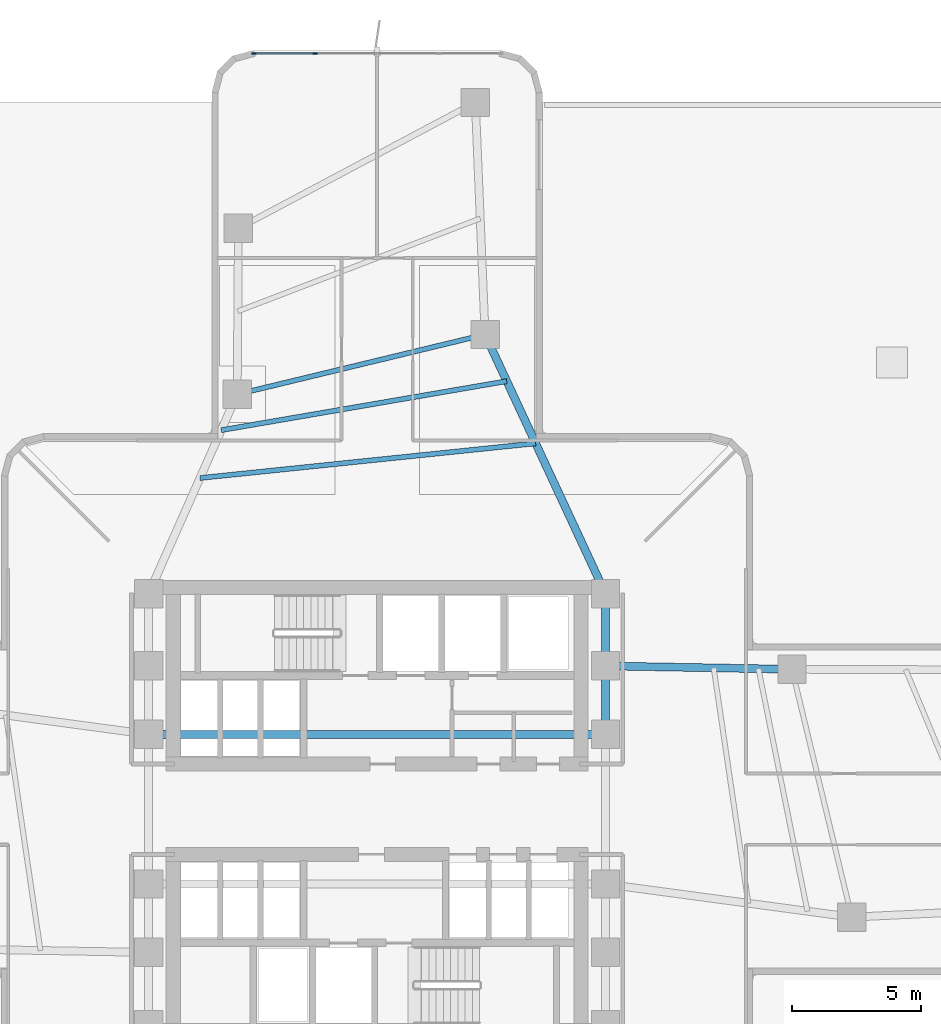
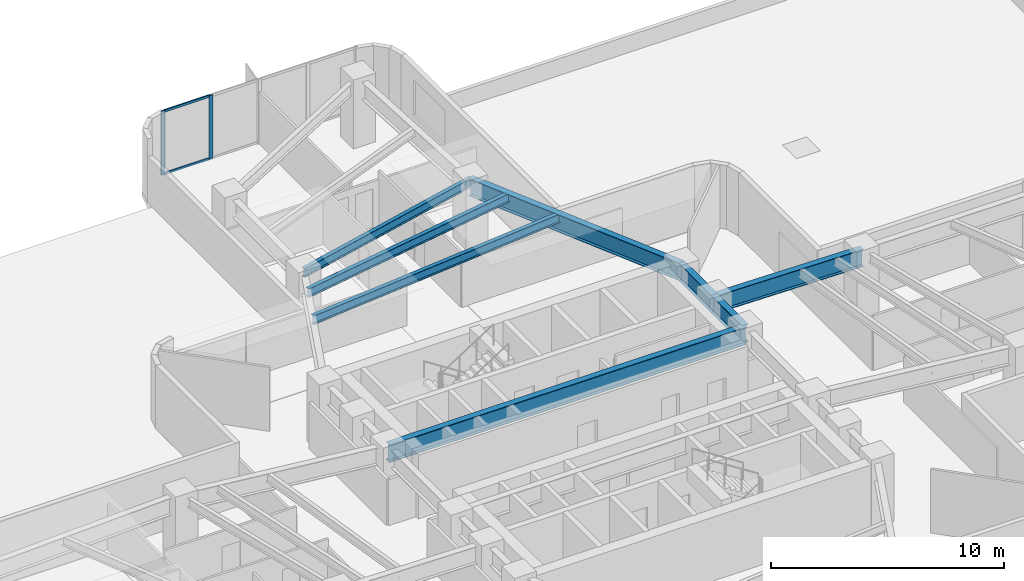
# One storey, part 5 of 14: 8 beams, 4 members, 1 element without a shape of its own.
"""IFC4 building model written with IfcOpenShell, lengths in metres."""

import ifcopenshell
import ifcopenshell.guid

model = None  # the IFC model being written
_history = None  # IfcOwnerHistory: only IFC2X3 demands one
_inside = {}  # id of a spatial element -> (the spatial element, [elements in it])
_under = {}  # id of a project, library or spatial element -> (it, [spatial elements below it])
_declared = {}  # id of a project -> (the project, [libraries it declares])
_typed = {}  # id of a type object -> (the type object, [elements of that type])
_made_of = {}  # id of a material, layer set ... -> (it, [elements and type objects made of it])


def new_model(schema):
    """Start an empty IFC model of exactly this schema.

    Asked for "IFC4X3", IfcOpenShell would pick the latest addendum, in which some entities
    have other attributes; the version numbers below select the first issue.
    IFC2X3 requires an IfcOwnerHistory on every rooted entity: one is made here for all.
    """
    global model, _history
    if schema == "IFC4X3":
        model = ifcopenshell.file(schema_version=(4, 3, 0, 0))
    else:
        model = ifcopenshell.file(schema=schema)
    _inside.clear()
    _under.clear()
    _declared.clear()
    _typed.clear()
    _made_of.clear()
    _history = None
    if model.schema == "IFC2X3":
        org = make("IfcOrganization", Name="unknown")
        user = make(
            "IfcPersonAndOrganization",
            ThePerson=make("IfcPerson", FamilyName="unknown"),
            TheOrganization=org,
        )
        app = make(
            "IfcApplication",
            ApplicationDeveloper=org,
            Version="unknown",
            ApplicationFullName="unknown",
            ApplicationIdentifier="unknown",
        )
        _history = make(
            "IfcOwnerHistory",
            OwningUser=user,
            OwningApplication=app,
            ChangeAction="ADDED",
            CreationDate=0,
        )
    return model


def make(cls, **values):
    """One entity of the class cls with the attributes given. An attribute that is None is left unset."""
    return model.create_entity(
        cls, **{name: value for name, value in values.items() if value is not None}
    )


def rooted(cls, **values):
    """An entity with a GlobalId (a new one), such as an element, a storey or a relation."""
    return make(cls, GlobalId=ifcopenshell.guid.new(), OwnerHistory=_history, **values)


def si_unit(unit_type, name, prefix=None):
    """IfcSIUnit, for example si_unit("LENGTHUNIT", "METRE", prefix="MILLI")."""
    return make("IfcSIUnit", UnitType=unit_type, Prefix=prefix, Name=name)


def assignment(units):
    """IfcUnitAssignment: the units of a project."""
    return None if units is None else make("IfcUnitAssignment", Units=units)


def point(xyz):
    """IfcCartesianPoint."""
    return None if xyz is None else make("IfcCartesianPoint", Coordinates=xyz)


def direction(xyz):
    """IfcDirection."""
    return None if xyz is None else make("IfcDirection", DirectionRatios=xyz)


def frame(location, z_axis=None, x_axis=None):
    """IfcAxis2Placement3D, a coordinate frame: its origin and axes. An axis left out is left unset."""
    return make(
        "IfcAxis2Placement3D",
        Location=point(location),
        Axis=direction(z_axis),
        RefDirection=direction(x_axis),
    )


def frame_2d(location, x_axis=None):
    """IfcAxis2Placement2D, a coordinate frame in the plane: its origin and x axis."""
    return make(
        "IfcAxis2Placement2D", Location=point(location), RefDirection=direction(x_axis)
    )


def origin():
    """The frame at (0, 0, 0) with its axes left unset."""
    return frame((0.0, 0.0, 0.0))


def origin_2d():
    """The frame at (0, 0) in the plane with its x axis left unset."""
    return frame_2d((0.0, 0.0))


def place(relative_to, where):
    """IfcLocalPlacement: puts the frame where relative to a parent placement (None: the world)."""
    return make(
        "IfcLocalPlacement", PlacementRelTo=relative_to, RelativePlacement=where
    )


def context(
    kind, dimensions, precision=None, world=None, true_north=None, identifier=None
):
    """IfcGeometricRepresentationContext, for example the 3D "Model" context."""
    return make(
        "IfcGeometricRepresentationContext",
        ContextIdentifier=identifier,
        ContextType=kind,
        CoordinateSpaceDimension=dimensions,
        Precision=precision,
        WorldCoordinateSystem=world,
        TrueNorth=true_north,
    )


def subcontext(parent, identifier, kind, view, scale=None):
    """IfcGeometricRepresentationSubContext, for example "Body" below "Model"."""
    return make(
        "IfcGeometricRepresentationSubContext",
        ContextIdentifier=identifier,
        ContextType=kind,
        ParentContext=parent,
        TargetScale=scale,
        TargetView=view,
    )


def project(units=None, contexts=None):
    """IfcProject with its units and contexts."""
    return rooted(
        "IfcProject",
        Name="project",
        RepresentationContexts=contexts,
        UnitsInContext=assignment(units),
    )


def spatial(cls, under=None, at=None, **own):
    """A site, building, storey or space (cls), placed at a placement, below another one or the project."""
    s = rooted(cls, ObjectPlacement=at, **own)
    if under is not None:
        _under.setdefault(under.id(), (under, []))[1].append(s)
    return s


def profile(cls, at=None, kind="AREA", **sizes):
    """A parametric profile (cls). Its sizes go by their IFC names, for example OverallWidth=200.0."""
    return make(cls, ProfileType=kind, Position=at, **sizes)


def rectangle(**sizes):
    """IfcRectangleProfileDef."""
    return profile("IfcRectangleProfileDef", **sizes)


def i_section(**sizes):
    """IfcIShapeProfileDef."""
    return profile("IfcIShapeProfileDef", **sizes)


def extrude(swept, where, along, depth):
    """IfcExtrudedAreaSolid: the profile swept, set in the frame where, extruded along a direction by depth."""
    return make(
        "IfcExtrudedAreaSolid",
        SweptArea=swept,
        Position=where,
        ExtrudedDirection=direction(along),
        Depth=depth,
    )


def shape(context_of_items, identifier, shape_type, items):
    """IfcShapeRepresentation: the items that make up one representation, for example the "Body"."""
    return make(
        "IfcShapeRepresentation",
        ContextOfItems=context_of_items,
        RepresentationIdentifier=identifier,
        RepresentationType=shape_type,
        Items=items,
    )


def material(Name=None, Category=None):
    """IfcMaterial."""
    return make("IfcMaterial", Name=Name, Category=Category)


def layer(
    of_material, thickness, ventilated=None, Name=None, Category=None, Priority=None
):
    """IfcMaterialLayer: one layer of a wall or slab, of a material (None: an air gap)."""
    return make(
        "IfcMaterialLayer",
        Material=of_material,
        LayerThickness=thickness,
        IsVentilated=ventilated,
        Name=Name,
        Category=Category,
        Priority=Priority,
    )


def layer_set(layers, Name=None):
    """IfcMaterialLayerSet."""
    return make("IfcMaterialLayerSet", MaterialLayers=layers, LayerSetName=Name)


def material_profile(
    of_material, cross_section, Name=None, Category=None, Priority=None
):
    """IfcMaterialProfile: a cross section and its material."""
    return make(
        "IfcMaterialProfile",
        Name=Name,
        Material=of_material,
        Profile=cross_section,
        Priority=Priority,
        Category=Category,
    )


def profile_set(profiles, Name=None, composite=None):
    """IfcMaterialProfileSet."""
    return make(
        "IfcMaterialProfileSet",
        Name=Name,
        MaterialProfiles=profiles,
        CompositeProfile=composite,
    )


def made_of(thing, what):
    """Note that an element or type object is made of a material, layer set ...; save() writes the relation."""
    if what is not None:
        _made_of.setdefault(what.id(), (what, []))[1].append(thing)
    return thing


def type_object(cls, material=None, **own):
    """A type object (cls), such as IfcWallType, which elements share."""
    return made_of(rooted(cls, **own), material)


def element(
    cls,
    number,
    at=None,
    inside=None,
    cuts=None,
    type_object=None,
    material=None,
    context=None,
    identifier="Body",
    shape_type=None,
    held_by="IfcProductDefinitionShape",
    body=None,
    shapes=None,
    **own,
):
    """One element of the class cls, such as IfcWall. Its Tag is "e" and its number.

    at: its placement. inside: the storey or other place that contains it. cuts: it is an
    opening in that element (IfcRelVoidsElement). A single representation is given by context,
    identifier, shape_type and body (its items); several are given by shapes. held_by: the class
    of the entity that holds the representations. save() writes the other relations.
    """
    e = rooted(cls, Tag="e%d" % number, ObjectPlacement=at, **own)
    if body is not None:
        shapes = [shape(context, identifier, shape_type, body)]
    if shapes is not None:
        e.Representation = make(held_by, Representations=shapes)
    if inside is not None:
        _inside.setdefault(inside.id(), (inside, []))[1].append(e)
    if cuts is not None:
        rooted(
            "IfcRelVoidsElement", RelatingBuildingElement=cuts, RelatedOpeningElement=e
        )
    if type_object is not None:
        _typed.setdefault(type_object.id(), (type_object, []))[1].append(e)
    return made_of(e, material)


def aggregate(whole, parts):
    """IfcRelAggregates: a whole, such as a stair, and the parts it consists of."""
    return rooted("IfcRelAggregates", RelatingObject=whole, RelatedObjects=parts)


def save(model, path):
    """Write the relations noted so far, then the file.

    IfcRelAggregates (storeys below a building ...), IfcRelContainedInSpatialStructure (elements
    in a storey), IfcRelDefinesByType, IfcRelAssociatesMaterial and IfcRelDeclares: one each for
    every whole, place, type object, material and project.
    """
    for whole, parts in _under.values():
        aggregate(whole, parts)
    for where, things in _inside.values():
        rooted(
            "IfcRelContainedInSpatialStructure",
            RelatedElements=things,
            RelatingStructure=where,
        )
    for kind, things in _typed.values():
        rooted("IfcRelDefinesByType", RelatedObjects=things, RelatingType=kind)
    for what, things in _made_of.values():
        rooted("IfcRelAssociatesMaterial", RelatedObjects=things, RelatingMaterial=what)
    for by, libraries in _declared.values():
        rooted("IfcRelDeclares", RelatingContext=by, RelatedDefinitions=libraries)
    model.write(path)


model = new_model("IFC4")

# Units and contexts
model_context = context("Model", 3, precision=1e-05, world=origin(), true_north=direction((0.0, 1.0)))
body_context = subcontext(model_context, "Body", "Model", "MODEL_VIEW")
ifc_project = project(units=[si_unit("LENGTHUNIT", "METRE"), si_unit("AREAUNIT", "SQUARE_METRE"), si_unit("VOLUMEUNIT", "CUBIC_METRE"), si_unit("PLANEANGLEUNIT", "RADIAN"), si_unit("MASSUNIT", "GRAM", prefix="KILO")], contexts=[model_context])

# Site, building, storey
site_placement = place(None, origin())
site = spatial("IfcSite", under=ifc_project, at=site_placement, CompositionType="ELEMENT")
building_placement = place(site_placement, origin())
building = spatial("IfcBuilding", under=site, at=building_placement, Name="Solmarez Civic Tower", CompositionType="ELEMENT")
storey_placement = place(building_placement, frame((0.0, 0.0, 24.47998046875)))
storey = spatial("IfcBuildingStorey", under=building, at=storey_placement, Name="L05", CompositionType="ELEMENT", Elevation=24.47998046875)

# Beams
ifc_material_1 = material(Name="Steel S355", Category="steel")
ifc_material_profile_1 = material_profile(ifc_material_1, i_section(OverallWidth=0.19189453125, OverallDepth=0.462890625, WebThickness=0.010498046875, FlangeThickness=0.017578125, at=origin_2d()), Name="W18X60")
ifc_profile_set_1 = profile_set([ifc_material_profile_1], Name="Steel S355")
beam_type_1 = type_object("IfcBeamType", Name="BM-JS-W18X60", PredefinedType="JOIST", material=ifc_profile_set_1)
beam_1_placement = place(storey_placement, frame((4.18408203125, 18.39111328125, 3.10791015625), z_axis=(-0.97215737271, -0.234328919867, 0.0), x_axis=(0.234328919867, -0.97215737271, 0.0)))
element("IfcBeam", 1, at=beam_1_placement, inside=storey, type_object=beam_type_1, Name="L05 Secondary Floor Joist BM-L05-NA-T1", PredefinedType="JOIST", context=body_context, shape_type="SweptSolid", body=[
    extrude(i_section(OverallWidth=0.19189453125, OverallDepth=0.462890625, WebThickness=0.010498046875, FlangeThickness=0.017578125, at=origin_2d()), origin(), (0.0, 0.0, 1.0), 9.880126953125),
])
beam_2_placement = place(storey_placement, frame((6.14404296875, 14.174072265625, 3.10791015625), z_axis=(-0.9947100999, -0.102722038325, 0.0), x_axis=(0.102722038325, -0.9947100999, 0.0)))
element("IfcBeam", 2, at=beam_2_placement, inside=storey, type_object=beam_type_1, Name="L05 Secondary Floor Joist JS-L05-NA-M11", PredefinedType="JOIST", context=body_context, shape_type="SweptSolid", body=[
    extrude(i_section(OverallWidth=0.19189453125, OverallDepth=0.462890625, WebThickness=0.010498046875, FlangeThickness=0.017578125, at=origin_2d()), origin(), (0.0, 0.0, 1.0), 13.07421875),
])
beam_3_placement = place(storey_placement, frame((5.02392578125, 16.583984375, 3.10791015625), z_axis=(-0.985583934907, -0.169187195889, 0.0), x_axis=(0.169187195889, -0.985583934907, 0.0)))
element("IfcBeam", 3, at=beam_3_placement, inside=storey, type_object=beam_type_1, Name="L05 Secondary Floor Joist JS-L05-NA-M12", PredefinedType="JOIST", context=body_context, shape_type="SweptSolid", body=[
    extrude(i_section(OverallWidth=0.19189453125, OverallDepth=0.462890625, WebThickness=0.010498046875, FlangeThickness=0.017578125, at=origin_2d()), origin(), (0.0, 0.0, 1.0), 11.223876953125),
])
ifc_material_profile_2 = material_profile(ifc_material_1, i_section(OverallWidth=0.303955078125, OverallDepth=0.910888671875, WebThickness=0.015869140625, FlangeThickness=0.02392578125, at=origin_2d()), Name="W36X150")
ifc_profile_set_2 = profile_set([ifc_material_profile_2], Name="Steel S355")
beam_type_2 = type_object("IfcBeamType", Name="BM-PR-W36X150", PredefinedType="BEAM", material=ifc_profile_set_2)
beam_4_placement = place(storey_placement, frame((8.85009765625, 5.550048828125, 2.884033203125), z_axis=(0.999840308455, -0.017870578882, 0.0), x_axis=(0.017870578882, 0.999840308455, 0.0)))
element("IfcBeam", 4, at=beam_4_placement, inside=storey, type_object=beam_type_2, Name="L05 Primary Floor Beam BM-L05-EA-R1B", PredefinedType="BEAM", context=body_context, shape_type="SweptSolid", body=[
    extrude(i_section(OverallWidth=0.303955078125, OverallDepth=0.910888671875, WebThickness=0.015869140625, FlangeThickness=0.02392578125, at=origin_2d()), origin(), (0.0, 0.0, 1.0), 7.22705078125),
])
beam_5_placement = place(storey_placement, frame((8.85009765625, 8.35009765625, 2.884033203125), z_axis=(-0.421417065364, 0.906866945599, 0.0), x_axis=(-0.906866945599, -0.421417065364, 0.0)))
element("IfcBeam", 5, at=beam_5_placement, inside=storey, type_object=beam_type_2, Name="L05 Primary Floor Beam BM-L05-NA-R1A", PredefinedType="BEAM", context=body_context, shape_type="SweptSolid", body=[
    extrude(i_section(OverallWidth=0.303955078125, OverallDepth=0.910888671875, WebThickness=0.015869140625, FlangeThickness=0.02392578125, at=origin_2d()), origin(), (0.0, 0.0, 1.0), 11.072265625),
])
ifc_material_profile_3 = material_profile(ifc_material_1, i_section(OverallWidth=0.306884765625, OverallDepth=0.927001953125, WebThickness=0.019287109375, FlangeThickness=0.031982421875, at=origin_2d()), Name="W36X194")
ifc_profile_set_3 = profile_set([ifc_material_profile_3], Name="Steel S355")
beam_type_3 = type_object("IfcBeamType", Name="BM-PR-W36X194", PredefinedType="BEAM", material=ifc_profile_set_3)
beam_6_placement = place(storey_placement, frame((8.85009765625, 2.89990234375, 2.876953125), z_axis=(0.0, 1.0, 0.0), x_axis=(-1.0, 0.0, 0.0)))
element("IfcBeam", 6, at=beam_6_placement, inside=storey, type_object=beam_type_3, Name="L05 Primary Floor Beam BM-L05-HC7-HC8", PredefinedType="BEAM", context=body_context, shape_type="SweptSolid", body=[
    extrude(i_section(OverallWidth=0.306884765625, OverallDepth=0.927001953125, WebThickness=0.019287109375, FlangeThickness=0.031982421875, at=origin_2d()), origin(), (0.0, 0.0, 1.0), 2.650146484375),
])
beam_7_placement = place(storey_placement, frame((8.85009765625, 5.550048828125, 2.876953125), z_axis=(0.0, 1.0, 0.0), x_axis=(-1.0, 0.0, 0.0)))
element("IfcBeam", 7, at=beam_7_placement, inside=storey, type_object=beam_type_3, Name="L05 Primary Floor Beam BM-L05-HC8-HC11", PredefinedType="BEAM", context=body_context, shape_type="SweptSolid", body=[
    extrude(i_section(OverallWidth=0.306884765625, OverallDepth=0.927001953125, WebThickness=0.019287109375, FlangeThickness=0.031982421875, at=origin_2d()), origin(), (0.0, 0.0, 1.0), 2.800048828125),
])
beam_8_placement = place(storey_placement, frame((-8.85009765625, 2.89990234375, 2.876953125), z_axis=(1.0, 0.0, 0.0), x_axis=(0.0, 1.0, 0.0)))
element("IfcBeam", 8, at=beam_8_placement, inside=storey, type_object=beam_type_3, Name="L05 Primary Floor Beam BM-L05-HC3-HC7", PredefinedType="BEAM", context=body_context, shape_type="SweptSolid", body=[
    extrude(i_section(OverallWidth=0.306884765625, OverallDepth=0.927001953125, WebThickness=0.019287109375, FlangeThickness=0.031982421875, at=origin_2d()), origin(), (0.0, 0.0, 1.0), 17.7001953125),
])

# Curtain wall, members
ifc_material_2 = material(Name="Bronze Anodised Aluminium EN AW-6063 T6", Category="aluminium")
ifc_layer = layer(ifc_material_2, 0.18505859375)
ifc_layer_set = layer_set([ifc_layer], Name="Bronze Anodised Aluminium EN AW-6063 T6")
curtain_wall_type = type_object("IfcCurtainWallType", Name="CW-SYS-2", PredefinedType="NOTDEFINED", material=ifc_layer_set)
curtain_wall_placement = place(storey_placement, origin())
curtain_wall = element("IfcCurtainWall", 9, at=curtain_wall_placement, inside=storey, type_object=curtain_wall_type, Name="L05 Stick-Built Curtain Wall 2", PredefinedType="NOTDEFINED")
ifc_material_profile_4 = material_profile(ifc_material_2, rectangle(XDim=0.070068359375, YDim=0.179931640625, at=origin_2d()), Name="CWM-70X180")
ifc_profile_set_4 = profile_set([ifc_material_profile_4], Name="Bronze Anodised Aluminium EN AW-6063 T6")
member_type_1 = type_object("IfcMemberType", Name="CWM-TYPE-2", PredefinedType="MULLION", material=ifc_profile_set_4)
member_1_placement = place(storey_placement, frame((-4.77392578125, 29.280029296875, 0.0), z_axis=(0.0, 0.0, 1.0), x_axis=(0.0, 1.0, 0.0)))
member_1 = element("IfcMember", 10, at=member_1_placement, type_object=member_type_1, Name="CWS2 mullion 1", PredefinedType="MULLION", context=body_context, shape_type="SweptSolid", body=[
    extrude(rectangle(XDim=0.070068359375, YDim=0.179931640625, at=origin_2d()), origin(), (0.0, 0.0, 1.0), 3.340087890625),
])
member_2_placement = place(storey_placement, frame((-2.404541015625, 29.280029296875, 0.0), z_axis=(0.0, 0.0, 1.0), x_axis=(0.0, 1.0, 0.0)))
member_2 = element("IfcMember", 11, at=member_2_placement, type_object=member_type_1, Name="CWS2 mullion 2", PredefinedType="MULLION", context=body_context, shape_type="SweptSolid", body=[
    extrude(rectangle(XDim=0.070068359375, YDim=0.179931640625, at=origin_2d()), origin(), (0.0, 0.0, 1.0), 3.340087890625),
])
ifc_material_profile_5 = material_profile(ifc_material_2, rectangle(XDim=0.06494140625, YDim=0.125, at=origin_2d()), Name="CWT-65X125")
ifc_profile_set_5 = profile_set([ifc_material_profile_5], Name="Bronze Anodised Aluminium EN AW-6063 T6")
member_type_2 = type_object("IfcMemberType", Name="CWT-TYPE-2", PredefinedType="USERDEFINED", material=ifc_profile_set_5)
member_3_placement = place(storey_placement, frame((-4.739013671875, 29.280029296875, 0.032470703125), z_axis=(1.0, 0.0, 0.0), x_axis=(0.0, 1.0, 0.0)))
member_3 = element("IfcMember", 12, at=member_3_placement, type_object=member_type_2, Name="CWS2 transom 1.1", ObjectType="TRANSOM", PredefinedType="USERDEFINED", context=body_context, shape_type="SweptSolid", body=[
    extrude(rectangle(XDim=0.06494140625, YDim=0.125, at=origin_2d()), origin(), (0.0, 0.0, 1.0), 2.299560546875),
])
member_4_placement = place(storey_placement, frame((-4.739013671875, 29.280029296875, 3.3076171875), z_axis=(1.0, 0.0, 0.0), x_axis=(0.0, 1.0, 0.0)))
member_4 = element("IfcMember", 13, at=member_4_placement, type_object=member_type_2, Name="CWS2 transom 1.2", ObjectType="TRANSOM", PredefinedType="USERDEFINED", context=body_context, shape_type="SweptSolid", body=[
    extrude(rectangle(XDim=0.06494140625, YDim=0.125, at=origin_2d()), origin(), (0.0, 0.0, 1.0), 2.299560546875),
])
aggregate(curtain_wall, [member_1, member_2, member_3, member_4])

save(model, "model.ifc")
